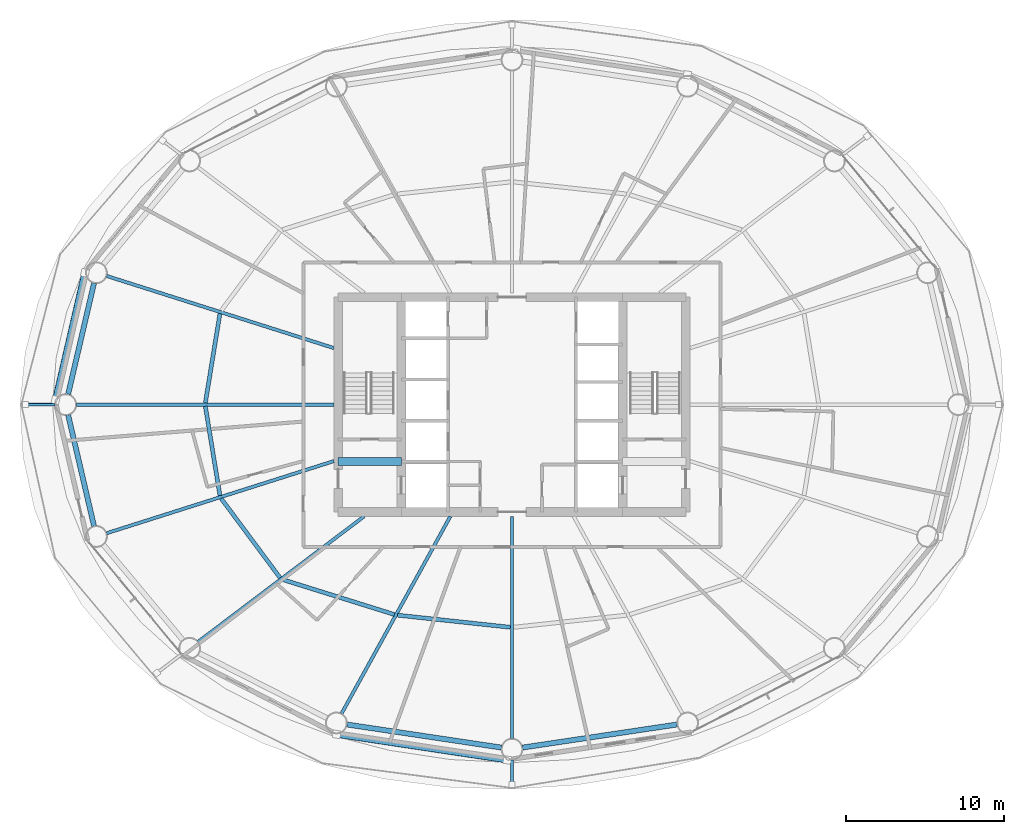
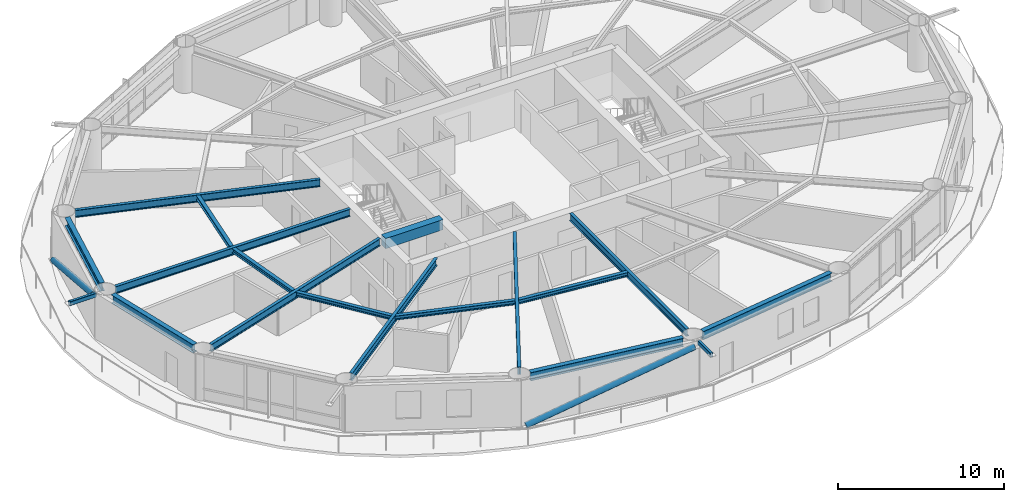
# One storey, part 3 of 24: 16 beams, 4 members.
"""IFC4 building model written with IfcOpenShell, lengths in metres."""

import ifcopenshell
import ifcopenshell.guid

model = None  # the IFC model being written
_history = None  # IfcOwnerHistory: only IFC2X3 demands one
_inside = {}  # id of a spatial element -> (the spatial element, [elements in it])
_under = {}  # id of a project, library or spatial element -> (it, [spatial elements below it])
_declared = {}  # id of a project -> (the project, [libraries it declares])
_typed = {}  # id of a type object -> (the type object, [elements of that type])
_made_of = {}  # id of a material, layer set ... -> (it, [elements and type objects made of it])


def new_model(schema):
    """Start an empty IFC model of exactly this schema.

    Asked for "IFC4X3", IfcOpenShell would pick the latest addendum, in which some entities
    have other attributes; the version numbers below select the first issue.
    IFC2X3 requires an IfcOwnerHistory on every rooted entity: one is made here for all.
    """
    global model, _history
    if schema == "IFC4X3":
        model = ifcopenshell.file(schema_version=(4, 3, 0, 0))
    else:
        model = ifcopenshell.file(schema=schema)
    _inside.clear()
    _under.clear()
    _declared.clear()
    _typed.clear()
    _made_of.clear()
    _history = None
    if model.schema == "IFC2X3":
        org = make("IfcOrganization", Name="unknown")
        user = make(
            "IfcPersonAndOrganization",
            ThePerson=make("IfcPerson", FamilyName="unknown"),
            TheOrganization=org,
        )
        app = make(
            "IfcApplication",
            ApplicationDeveloper=org,
            Version="unknown",
            ApplicationFullName="unknown",
            ApplicationIdentifier="unknown",
        )
        _history = make(
            "IfcOwnerHistory",
            OwningUser=user,
            OwningApplication=app,
            ChangeAction="ADDED",
            CreationDate=0,
        )
    return model


def make(cls, **values):
    """One entity of the class cls with the attributes given. An attribute that is None is left unset."""
    return model.create_entity(
        cls, **{name: value for name, value in values.items() if value is not None}
    )


def rooted(cls, **values):
    """An entity with a GlobalId (a new one), such as an element, a storey or a relation."""
    return make(cls, GlobalId=ifcopenshell.guid.new(), OwnerHistory=_history, **values)


def si_unit(unit_type, name, prefix=None):
    """IfcSIUnit, for example si_unit("LENGTHUNIT", "METRE", prefix="MILLI")."""
    return make("IfcSIUnit", UnitType=unit_type, Prefix=prefix, Name=name)


def assignment(units):
    """IfcUnitAssignment: the units of a project."""
    return None if units is None else make("IfcUnitAssignment", Units=units)


def point(xyz):
    """IfcCartesianPoint."""
    return None if xyz is None else make("IfcCartesianPoint", Coordinates=xyz)


def direction(xyz):
    """IfcDirection."""
    return None if xyz is None else make("IfcDirection", DirectionRatios=xyz)


def frame(location, z_axis=None, x_axis=None):
    """IfcAxis2Placement3D, a coordinate frame: its origin and axes. An axis left out is left unset."""
    return make(
        "IfcAxis2Placement3D",
        Location=point(location),
        Axis=direction(z_axis),
        RefDirection=direction(x_axis),
    )


def frame_2d(location, x_axis=None):
    """IfcAxis2Placement2D, a coordinate frame in the plane: its origin and x axis."""
    return make(
        "IfcAxis2Placement2D", Location=point(location), RefDirection=direction(x_axis)
    )


def origin():
    """The frame at (0, 0, 0) with its axes left unset."""
    return frame((0.0, 0.0, 0.0))


def origin_2d():
    """The frame at (0, 0) in the plane with its x axis left unset."""
    return frame_2d((0.0, 0.0))


def place(relative_to, where):
    """IfcLocalPlacement: puts the frame where relative to a parent placement (None: the world)."""
    return make(
        "IfcLocalPlacement", PlacementRelTo=relative_to, RelativePlacement=where
    )


def context(
    kind, dimensions, precision=None, world=None, true_north=None, identifier=None
):
    """IfcGeometricRepresentationContext, for example the 3D "Model" context."""
    return make(
        "IfcGeometricRepresentationContext",
        ContextIdentifier=identifier,
        ContextType=kind,
        CoordinateSpaceDimension=dimensions,
        Precision=precision,
        WorldCoordinateSystem=world,
        TrueNorth=true_north,
    )


def subcontext(parent, identifier, kind, view, scale=None):
    """IfcGeometricRepresentationSubContext, for example "Body" below "Model"."""
    return make(
        "IfcGeometricRepresentationSubContext",
        ContextIdentifier=identifier,
        ContextType=kind,
        ParentContext=parent,
        TargetScale=scale,
        TargetView=view,
    )


def project(units=None, contexts=None):
    """IfcProject with its units and contexts."""
    return rooted(
        "IfcProject",
        Name="project",
        RepresentationContexts=contexts,
        UnitsInContext=assignment(units),
    )


def spatial(cls, under=None, at=None, **own):
    """A site, building, storey or space (cls), placed at a placement, below another one or the project."""
    s = rooted(cls, ObjectPlacement=at, **own)
    if under is not None:
        _under.setdefault(under.id(), (under, []))[1].append(s)
    return s


def profile(cls, at=None, kind="AREA", **sizes):
    """A parametric profile (cls). Its sizes go by their IFC names, for example OverallWidth=200.0."""
    return make(cls, ProfileType=kind, Position=at, **sizes)


def rectangle(**sizes):
    """IfcRectangleProfileDef."""
    return profile("IfcRectangleProfileDef", **sizes)


def hollow_rectangle(**sizes):
    """IfcRectangleHollowProfileDef."""
    return profile("IfcRectangleHollowProfileDef", **sizes)


def hollow_circle(**sizes):
    """IfcCircleHollowProfileDef."""
    return profile("IfcCircleHollowProfileDef", **sizes)


def i_section(**sizes):
    """IfcIShapeProfileDef."""
    return profile("IfcIShapeProfileDef", **sizes)


def extrude(swept, where, along, depth):
    """IfcExtrudedAreaSolid: the profile swept, set in the frame where, extruded along a direction by depth."""
    return make(
        "IfcExtrudedAreaSolid",
        SweptArea=swept,
        Position=where,
        ExtrudedDirection=direction(along),
        Depth=depth,
    )


def shape(context_of_items, identifier, shape_type, items):
    """IfcShapeRepresentation: the items that make up one representation, for example the "Body"."""
    return make(
        "IfcShapeRepresentation",
        ContextOfItems=context_of_items,
        RepresentationIdentifier=identifier,
        RepresentationType=shape_type,
        Items=items,
    )


def material(Name=None, Category=None):
    """IfcMaterial."""
    return make("IfcMaterial", Name=Name, Category=Category)


def material_profile(
    of_material, cross_section, Name=None, Category=None, Priority=None
):
    """IfcMaterialProfile: a cross section and its material."""
    return make(
        "IfcMaterialProfile",
        Name=Name,
        Material=of_material,
        Profile=cross_section,
        Priority=Priority,
        Category=Category,
    )


def profile_set(profiles, Name=None, composite=None):
    """IfcMaterialProfileSet."""
    return make(
        "IfcMaterialProfileSet",
        Name=Name,
        MaterialProfiles=profiles,
        CompositeProfile=composite,
    )


def made_of(thing, what):
    """Note that an element or type object is made of a material, layer set ...; save() writes the relation."""
    if what is not None:
        _made_of.setdefault(what.id(), (what, []))[1].append(thing)
    return thing


def type_object(cls, material=None, **own):
    """A type object (cls), such as IfcWallType, which elements share."""
    return made_of(rooted(cls, **own), material)


def element(
    cls,
    number,
    at=None,
    inside=None,
    cuts=None,
    type_object=None,
    material=None,
    context=None,
    identifier="Body",
    shape_type=None,
    held_by="IfcProductDefinitionShape",
    body=None,
    shapes=None,
    **own,
):
    """One element of the class cls, such as IfcWall. Its Tag is "e" and its number.

    at: its placement. inside: the storey or other place that contains it. cuts: it is an
    opening in that element (IfcRelVoidsElement). A single representation is given by context,
    identifier, shape_type and body (its items); several are given by shapes. held_by: the class
    of the entity that holds the representations. save() writes the other relations.
    """
    e = rooted(cls, Tag="e%d" % number, ObjectPlacement=at, **own)
    if body is not None:
        shapes = [shape(context, identifier, shape_type, body)]
    if shapes is not None:
        e.Representation = make(held_by, Representations=shapes)
    if inside is not None:
        _inside.setdefault(inside.id(), (inside, []))[1].append(e)
    if cuts is not None:
        rooted(
            "IfcRelVoidsElement", RelatingBuildingElement=cuts, RelatedOpeningElement=e
        )
    if type_object is not None:
        _typed.setdefault(type_object.id(), (type_object, []))[1].append(e)
    return made_of(e, material)


def aggregate(whole, parts):
    """IfcRelAggregates: a whole, such as a stair, and the parts it consists of."""
    return rooted("IfcRelAggregates", RelatingObject=whole, RelatedObjects=parts)


def save(model, path):
    """Write the relations noted so far, then the file.

    IfcRelAggregates (storeys below a building ...), IfcRelContainedInSpatialStructure (elements
    in a storey), IfcRelDefinesByType, IfcRelAssociatesMaterial and IfcRelDeclares: one each for
    every whole, place, type object, material and project.
    """
    for whole, parts in _under.values():
        aggregate(whole, parts)
    for where, things in _inside.values():
        rooted(
            "IfcRelContainedInSpatialStructure",
            RelatedElements=things,
            RelatingStructure=where,
        )
    for kind, things in _typed.values():
        rooted("IfcRelDefinesByType", RelatedObjects=things, RelatingType=kind)
    for what, things in _made_of.values():
        rooted("IfcRelAssociatesMaterial", RelatedObjects=things, RelatingMaterial=what)
    for by, libraries in _declared.values():
        rooted("IfcRelDeclares", RelatingContext=by, RelatedDefinitions=libraries)
    model.write(path)


model = new_model("IFC4")

# Units and contexts
model_context = context("Model", 3, precision=1e-05, world=origin(), true_north=direction((0.0, 1.0)))
body_context = subcontext(model_context, "Body", "Model", "MODEL_VIEW")
ifc_project = project(units=[si_unit("LENGTHUNIT", "METRE"), si_unit("AREAUNIT", "SQUARE_METRE"), si_unit("VOLUMEUNIT", "CUBIC_METRE"), si_unit("PLANEANGLEUNIT", "RADIAN"), si_unit("MASSUNIT", "GRAM", prefix="KILO")], contexts=[model_context])

# Site, building, storey
site_placement = place(None, origin())
site = spatial("IfcSite", under=ifc_project, at=site_placement, CompositionType="ELEMENT")
building_placement = place(site_placement, origin())
building = spatial("IfcBuilding", under=site, at=building_placement, Name="Sarneth Arch Tower", CompositionType="ELEMENT")
storey_placement = place(building_placement, frame((0.0, 0.0, 127.199951171875)))
storey = spatial("IfcBuildingStorey", under=building, at=storey_placement, Name="L32", CompositionType="ELEMENT", Elevation=127.199951171875)

# Beams
ifc_material_1 = material(Name="Steel S355", Category="steel")
ifc_material_profile_1 = material_profile(ifc_material_1, i_section(OverallWidth=0.25390625, OverallDepth=0.305908203125, WebThickness=0.0087890625, FlangeThickness=0.0146484375, FilletRadius=0.014892578125, at=origin_2d()), Name="W310x79")
ifc_profile_set_1 = profile_set([ifc_material_profile_1], Name="Steel S355")
beam_type_1 = type_object("IfcBeamType", Name="BM-JOIST-310A", PredefinedType="JOIST", material=ifc_profile_set_1)
for number, where, z_axis, x_axis, name in (
    (1, (29.521484375, 47.75390625, 3.22705078125), (-0.16120310833, -0.986921252109, 0.0), (0.986921252109, -0.16120310833, 0.0), "L32 Secondary floor joist 08"),
    (2, (28.5986328125, 41.89599609375, 3.22705078125), (0.16120310833, -0.986921252109, 0.0), (0.986921252109, 0.16120310833, 0.0), "L32 Secondary floor joist 09"),
):
    element("IfcBeam", number, at=place(storey_placement, frame(where, z_axis=z_axis, x_axis=x_axis)), inside=storey, type_object=beam_type_1, Name=name, PredefinedType="JOIST", context=body_context, shape_type="SweptSolid", body=[
        extrude(i_section(OverallWidth=0.25390625, OverallDepth=0.305908203125, WebThickness=0.0087890625, FlangeThickness=0.0146484375, FilletRadius=0.014892578125, at=origin_2d()), origin(), (0.0, 0.0, 1.0), 5.724853515625),
    ])
beam_1_placement = place(storey_placement, frame((29.6015625, 36.057373046875, 3.22705078125), z_axis=(0.596354224217, -0.80272139579, 0.0), x_axis=(0.80272139579, 0.596354224217, 0.0)))
element("IfcBeam", 3, at=beam_1_placement, inside=storey, type_object=beam_type_1, Name="L32 Secondary floor joist 10", PredefinedType="JOIST", context=body_context, shape_type="SweptSolid", body=[
    extrude(i_section(OverallWidth=0.25390625, OverallDepth=0.305908203125, WebThickness=0.0087890625, FlangeThickness=0.0146484375, FilletRadius=0.014892578125, at=origin_2d()), origin(), (0.0, 0.0, 1.0), 6.246337890625),
])
beam_2_placement = place(storey_placement, frame((33.490234375, 30.927001953125, 3.22705078125), z_axis=(0.9544870201, -0.298252457594, 0.0), x_axis=(0.298252457594, 0.9544870201, 0.0)))
element("IfcBeam", 4, at=beam_2_placement, inside=storey, type_object=beam_type_1, Name="L32 Secondary floor joist 11", PredefinedType="JOIST", context=body_context, shape_type="SweptSolid", body=[
    extrude(i_section(OverallWidth=0.25390625, OverallDepth=0.305908203125, WebThickness=0.0087890625, FlangeThickness=0.0146484375, FilletRadius=0.014892578125, at=origin_2d()), origin(), (0.0, 0.0, 1.0), 7.40234375),
])
beam_3_placement = place(storey_placement, frame((40.761474609375, 28.676513671875, 3.22705078125), z_axis=(0.99429330851, -0.106680910441, 0.0), x_axis=(0.106680910441, 0.99429330851, 0.0)))
element("IfcBeam", 5, at=beam_3_placement, inside=storey, type_object=beam_type_1, Name="L32 Secondary floor joist 12", PredefinedType="JOIST", context=body_context, shape_type="SweptSolid", body=[
    extrude(i_section(OverallWidth=0.25390625, OverallDepth=0.305908203125, WebThickness=0.0087890625, FlangeThickness=0.0146484375, FilletRadius=0.014892578125, at=origin_2d()), origin(), (0.0, 0.0, 1.0), 7.174560546875),
])
ifc_material_2 = material(Name="Concrete C50/60", Category="concrete")
ifc_material_profile_2 = material_profile(ifc_material_2, rectangle(XDim=0.5, YDim=0.75, at=origin_2d()), Name="RC-500x750")
ifc_profile_set_2 = profile_set([ifc_material_profile_2], Name="Concrete C50/60")
beam_type_2 = type_object("IfcBeamType", Name="BM-LINTEL-RC", PredefinedType="LINTEL", material=ifc_profile_set_2)
beam_4_placement = place(storey_placement, frame((37.0, 38.39990234375, 3.005126953125), z_axis=(1.0, 0.0, 0.0), x_axis=(0.0, 1.0, 0.0)))
element("IfcBeam", 6, at=beam_4_placement, inside=storey, type_object=beam_type_2, Name="L32 Core coupling lintel W", PredefinedType="LINTEL", context=body_context, shape_type="SweptSolid", body=[
    extrude(rectangle(XDim=0.5, YDim=0.75, at=origin_2d()), origin(), (0.0, 0.0, 1.0), 4.0),
])
ifc_material_3 = material(Name="Steel S355", Category="steel")
ifc_material_profile_3 = material_profile(ifc_material_3, i_section(OverallWidth=0.2109375, OverallDepth=0.5390625, WebThickness=0.01171875, FlangeThickness=0.018798828125, FilletRadius=0.01806640625, at=origin_2d()), Name="W530x109")
ifc_profile_set_3 = profile_set([ifc_material_profile_3], Name="Steel S355")
beam_type_3 = type_object("IfcBeamType", Name="BM-RAD-530B", PredefinedType="BEAM", material=ifc_profile_set_3)
beam_5_placement = place(storey_placement, frame((36.72509765625, 45.57763671875, 3.110595703125), z_axis=(-0.95316257761, 0.302458427958, 0.0), x_axis=(-0.302458427958, -0.95316257761, 0.0)))
element("IfcBeam", 7, at=beam_5_placement, inside=storey, type_object=beam_type_3, Name="L32 Radial floor girder 08", PredefinedType="BEAM", context=body_context, shape_type="SweptSolid", body=[
    extrude(i_section(OverallWidth=0.2109375, OverallDepth=0.5390625, WebThickness=0.01171875, FlangeThickness=0.018798828125, FilletRadius=0.01806640625, at=origin_2d()), origin(), (0.0, 0.0, 1.0), 15.0791015625),
])
beam_6_placement = place(storey_placement, frame((36.72509765625, 42.0, 3.110595703125), z_axis=(-1.0, 0.0, 0.0), x_axis=(0.0, -1.0, 0.0)))
element("IfcBeam", 8, at=beam_6_placement, inside=storey, type_object=beam_type_3, Name="L32 Radial floor girder 09", PredefinedType="BEAM", context=body_context, shape_type="SweptSolid", body=[
    extrude(i_section(OverallWidth=0.2109375, OverallDepth=0.5390625, WebThickness=0.01171875, FlangeThickness=0.018798828125, FilletRadius=0.01806640625, at=origin_2d()), origin(), (0.0, 0.0, 1.0), 16.28662109375),
])
beam_7_placement = place(storey_placement, frame((36.72509765625, 38.42236328125, 3.110595703125), z_axis=(-0.95316257761, -0.302458427958, 0.0), x_axis=(0.302458427958, -0.95316257761, 0.0)))
element("IfcBeam", 9, at=beam_7_placement, inside=storey, type_object=beam_type_3, Name="L32 Radial floor girder 10", PredefinedType="BEAM", context=body_context, shape_type="SweptSolid", body=[
    extrude(i_section(OverallWidth=0.2109375, OverallDepth=0.5390625, WebThickness=0.01171875, FlangeThickness=0.018798828125, FilletRadius=0.01806640625, at=origin_2d()), origin(), (0.0, 0.0, 1.0), 15.0791015625),
])
beam_8_placement = place(storey_placement, frame((38.63818359375, 34.925048828125, 3.110595703125), z_axis=(-0.797801476102, -0.602920230818, 0.0), x_axis=(0.602920230818, -0.797801476102, 0.0)))
element("IfcBeam", 10, at=beam_8_placement, inside=storey, type_object=beam_type_3, Name="L32 Radial floor girder 11", PredefinedType="BEAM", context=body_context, shape_type="SweptSolid", body=[
    extrude(i_section(OverallWidth=0.2109375, OverallDepth=0.5390625, WebThickness=0.01171875, FlangeThickness=0.018798828125, FilletRadius=0.01806640625, at=origin_2d()), origin(), (0.0, 0.0, 1.0), 13.15771484375),
])
beam_9_placement = place(storey_placement, frame((44.09716796875, 34.925048828125, 3.110595703125), z_axis=(-0.48301301286, -0.875613173387, 0.0), x_axis=(0.875613173387, -0.48301301286, 0.0)))
element("IfcBeam", 11, at=beam_9_placement, inside=storey, type_object=beam_type_3, Name="L32 Radial floor girder 12", PredefinedType="BEAM", context=body_context, shape_type="SweptSolid", body=[
    extrude(i_section(OverallWidth=0.2109375, OverallDepth=0.5390625, WebThickness=0.01171875, FlangeThickness=0.018798828125, FilletRadius=0.01806640625, at=origin_2d()), origin(), (0.0, 0.0, 1.0), 14.246826171875),
])
beam_10_placement = place(storey_placement, frame((48.0, 34.925048828125, 3.110595703125), z_axis=(0.0, -1.0, 0.0), x_axis=(1.0, 0.0, 0.0)))
element("IfcBeam", 12, at=beam_10_placement, inside=storey, type_object=beam_type_3, Name="L32 Radial floor girder 13", PredefinedType="BEAM", context=body_context, shape_type="SweptSolid", body=[
    extrude(i_section(OverallWidth=0.2109375, OverallDepth=0.5390625, WebThickness=0.01171875, FlangeThickness=0.018798828125, FilletRadius=0.01806640625, at=origin_2d()), origin(), (0.0, 0.0, 1.0), 14.050048828125),
])
ifc_material_4 = material(Name="Steel S355", Category="steel")
ifc_material_profile_4 = material_profile(ifc_material_4, i_section(OverallWidth=0.323974609375, OverallDepth=0.611083984375, WebThickness=0.0126953125, FlangeThickness=0.01904296875, FilletRadius=0.01904296875, at=origin_2d()), Name="W610x155")
ifc_profile_set_4 = profile_set([ifc_material_profile_4], Name="Steel S355")
beam_type_4 = type_object("IfcBeamType", Name="BM-SPAN-610B", PredefinedType="SPANDREL", material=ifc_profile_set_4)
for number, where, z_axis, x_axis, name in (
    (13, (21.555419921875, 49.68505859375, 3.074462890625), (-0.22708522689, -0.973874889156, 0.0), (0.973874889156, -0.22708522689, 0.0), "L32 Perimeter spandrel beam 08"),
    (14, (19.916748046875, 41.342529296875, 3.074462890625), (0.22708522689, -0.973874889156, 0.0), (0.973874889156, 0.22708522689, 0.0), "L32 Perimeter spandrel beam 09"),
):
    element("IfcBeam", number, at=place(storey_placement, frame(where, z_axis=z_axis, x_axis=x_axis)), inside=storey, type_object=beam_type_4, Name=name, PredefinedType="SPANDREL", context=body_context, shape_type="SweptSolid", body=[
        extrude(i_section(OverallWidth=0.323974609375, OverallDepth=0.611083984375, WebThickness=0.0126953125, FlangeThickness=0.01904296875, FilletRadius=0.01904296875, at=origin_2d()), origin(), (0.0, 0.0, 1.0), 7.216064453125),
    ])
for number, where, z_axis, x_axis, name in (
    (15, (37.557373046875, 21.759765625, 3.074462890625), (0.989029828744, -0.147715936359, 0.0), (0.147715936359, 0.989029828744, 0.0), "L32 Perimeter spandrel beam 12"),
    (16, (48.66748046875, 20.2998046875, 3.074462890625), (0.989029828744, 0.147715936359, 0.0), (-0.147715936359, 0.989029828744, 0.0), "L32 Perimeter spandrel beam 13"),
):
    element("IfcBeam", number, at=place(storey_placement, frame(where, z_axis=z_axis, x_axis=x_axis)), inside=storey, type_object=beam_type_4, Name=name, PredefinedType="SPANDREL", context=body_context, shape_type="SweptSolid", body=[
        extrude(i_section(OverallWidth=0.323974609375, OverallDepth=0.611083984375, WebThickness=0.0126953125, FlangeThickness=0.01904296875, FilletRadius=0.01904296875, at=origin_2d()), origin(), (0.0, 0.0, 1.0), 9.883544921875),
    ])

# Members
ifc_material_5 = material(Name="Steel S355", Category="steel")
ifc_material_profile_5 = material_profile(ifc_material_5, hollow_rectangle(XDim=0.199951171875, YDim=0.300048828125, WallThickness=0.012451171875, InnerFilletRadius=0.018798828125, OuterFilletRadius=0.03125, at=origin_2d()), Name="RHS300x200x12.5")
ifc_profile_set_5 = profile_set([ifc_material_profile_5], Name="Steel S355")
member_type_1 = type_object("IfcMemberType", Name="MEM-CANT-STRUT", PredefinedType="STRUT", material=ifc_profile_set_5)
member_1_placement = place(storey_placement, frame((19.08837890625, 42.0, 3.219970703125), z_axis=(-1.0, 0.0, 0.0), x_axis=(0.0, -1.0, 0.0)))
element("IfcMember", 17, at=member_1_placement, inside=storey, type_object=member_type_1, Name="L32 Balcony cantilever bracket 09", PredefinedType="STRUT", context=body_context, shape_type="SweptSolid", body=[
    extrude(hollow_rectangle(XDim=0.199951171875, YDim=0.300048828125, WallThickness=0.012451171875, InnerFilletRadius=0.018798828125, OuterFilletRadius=0.03125, at=origin_2d()), origin(), (0.0, 0.0, 1.0), 1.853759765625),
])
member_2_placement = place(storey_placement, frame((48.0, 19.52490234375, 3.219970703125), z_axis=(0.0, -1.0, 0.0), x_axis=(1.0, 0.0, 0.0)))
element("IfcMember", 18, at=member_2_placement, inside=storey, type_object=member_type_1, Name="L32 Balcony cantilever bracket 13", PredefinedType="STRUT", context=body_context, shape_type="SweptSolid", body=[
    extrude(hollow_rectangle(XDim=0.199951171875, YDim=0.300048828125, WallThickness=0.012451171875, InnerFilletRadius=0.018798828125, OuterFilletRadius=0.03125, at=origin_2d()), origin(), (0.0, 0.0, 1.0), 1.546142578125),
])
ifc_material_6 = material(Name="Steel S355", Category="steel")
ifc_material_profile_6 = material_profile(ifc_material_6, hollow_circle(Radius=0.202880859375, WallThickness=0.01611328125, at=origin_2d()), Name="CHS406x16")
ifc_profile_set_6 = profile_set([ifc_material_profile_6], Name="Steel S355")
member_type_2 = type_object("IfcMemberType", Name="MEM-DIAG-BR2", PredefinedType="BRACE", material=ifc_profile_set_6)
member_3_placement = place(storey_placement, frame((20.98046875, 50.32958984375, 0.02001953125), z_axis=(-0.21184573702, -0.915846816603, 0.341095283204), x_axis=(0.974275349464, -0.225360918143, 0.0)))
element("IfcMember", 19, at=member_3_placement, inside=storey, type_object=member_type_2, Name="L32 Perimeter frame diagonal 08", PredefinedType="BRACE", context=body_context, shape_type="SweptSolid", body=[
    extrude(hollow_circle(Radius=0.202880859375, WallThickness=0.01611328125, at=origin_2d()), origin(), (0.0, 0.0, 1.0), 8.77587890625),
])
member_4_placement = place(storey_placement, frame((36.9072265625, 21.140380859375, 0.02001953125), z_axis=(0.953656635145, -0.143605968509, 0.264416996529), x_axis=(0.148905755657, 0.988851392239, 0.0)))
element("IfcMember", 20, at=member_4_placement, inside=storey, type_object=member_type_2, Name="L32 Perimeter frame diagonal 12", PredefinedType="BRACE", context=body_context, shape_type="SweptSolid", body=[
    extrude(hollow_circle(Radius=0.202880859375, WallThickness=0.01611328125, at=origin_2d()), origin(), (0.0, 0.0, 1.0), 11.32080078125),
])

save(model, "model.ifc")
